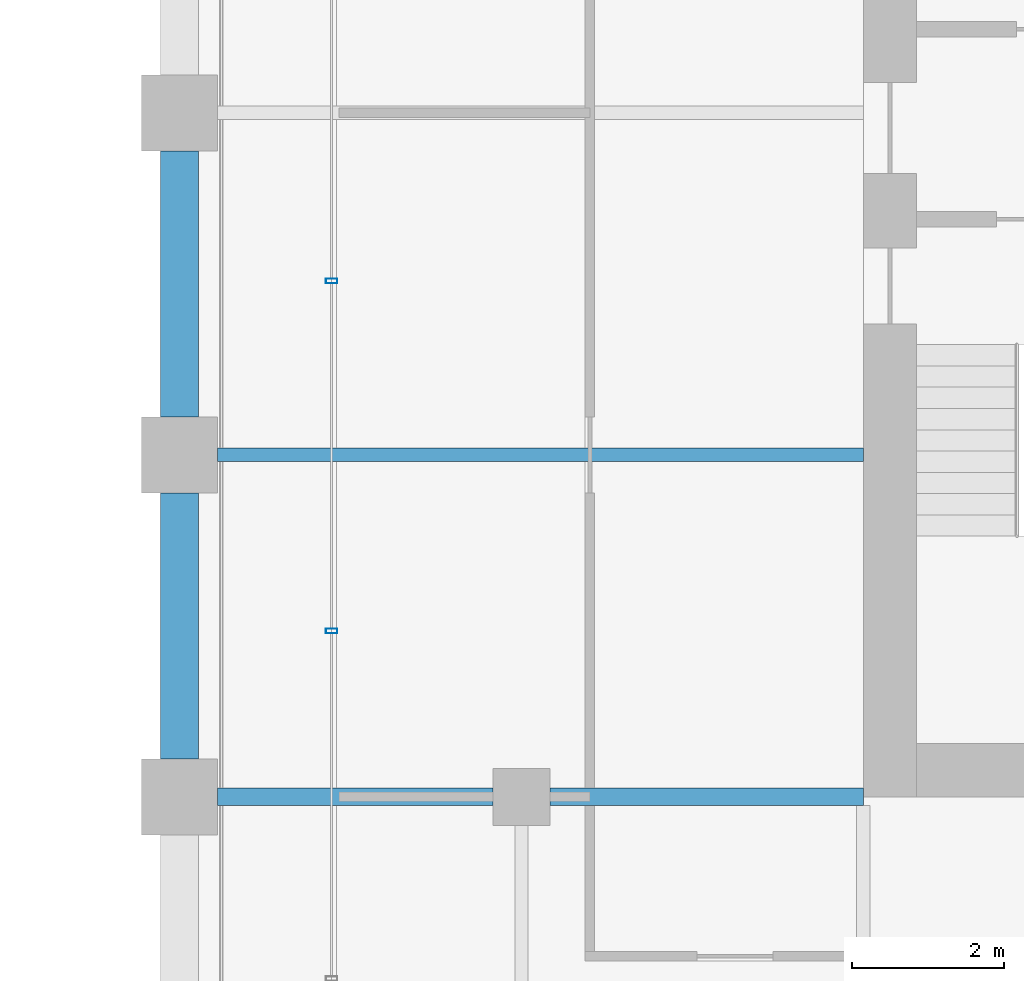
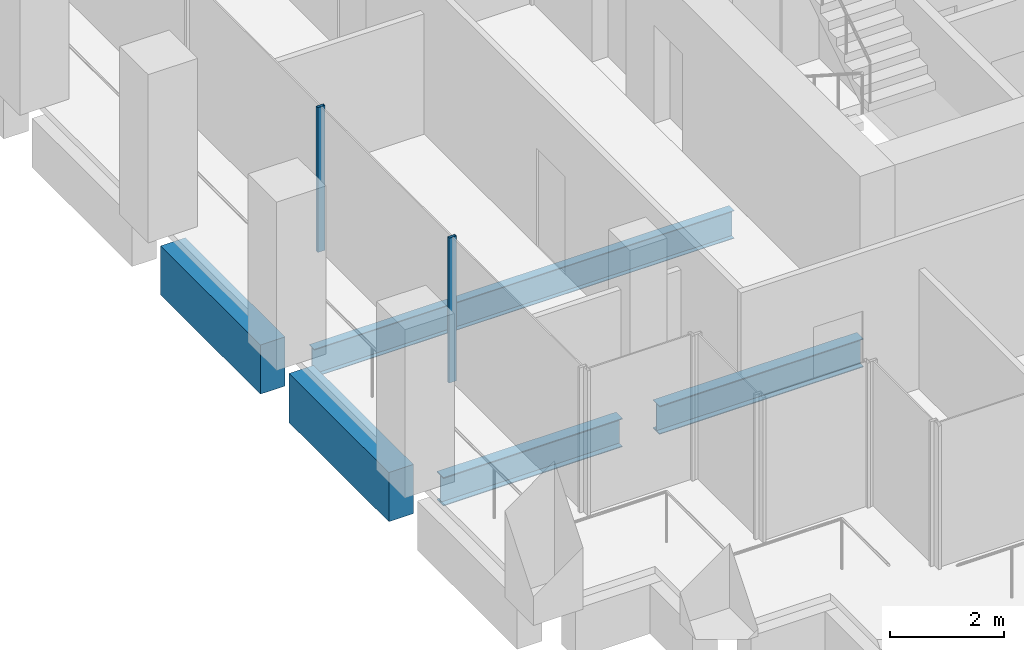
# One storey, part 30 of 45: 5 beams, 2 members, 1 element without a shape of its own.
"""IFC4 building model written with IfcOpenShell, lengths in metres."""

from ifc_helpers import new_model, si_unit, direction, frame, origin, origin_2d, place, context, subcontext, project, spatial, rectangle, hollow_rectangle, i_section, extrude, material, material_profile, profile_set, type_object, element, aggregate, save


model = new_model("IFC4")

# Units and contexts
model_context = context("Model", 3, precision=1e-05, world=origin(), true_north=direction((0.0, 1.0)))
body_context = subcontext(model_context, "Body", "Model", "MODEL_VIEW")
ifc_project = project(units=[si_unit("LENGTHUNIT", "METRE"), si_unit("AREAUNIT", "SQUARE_METRE"), si_unit("VOLUMEUNIT", "CUBIC_METRE"), si_unit("PLANEANGLEUNIT", "RADIAN"), si_unit("MASSUNIT", "GRAM", prefix="KILO")], contexts=[model_context])

# Site, building, storey
site_placement = place(None, origin())
site = spatial("IfcSite", under=ifc_project, at=site_placement, CompositionType="ELEMENT")
building_placement = place(site_placement, origin())
building = spatial("IfcBuilding", under=site, at=building_placement, Name="Altepetl Exchange Towers", CompositionType="ELEMENT")
storey_placement = place(building_placement, frame((0.0, 0.0, 110.0)))
storey = spatial("IfcBuildingStorey", under=building, at=storey_placement, Name="L27", CompositionType="ELEMENT", Elevation=110.0)

# Beams
ifc_material_1 = material(Name="Steel S355", Category="steel")
ifc_material_profile_1 = material_profile(ifc_material_1, i_section(OverallWidth=0.177978515625, OverallDepth=0.59912109375, WebThickness=0.010009765625, FlangeThickness=0.0126953125, at=origin_2d()), Name="W24X55")
ifc_profile_set_1 = profile_set([ifc_material_profile_1], Name="Steel S355")
beam_type_1 = type_object("IfcBeamType", Name="Floor beam W24X55", PredefinedType="BEAM", material=ifc_profile_set_1)
beam_1_placement = place(storey_placement, frame((95.0, 40.5, -0.449462890625), z_axis=(1.0, 0.0, 0.0), x_axis=(0.0, 1.0, 0.0)))
element("IfcBeam", 1, at=beam_1_placement, inside=storey, type_object=beam_type_1, Name="bm:B:L27:008", PredefinedType="BEAM", context=body_context, shape_type="SweptSolid", body=[
    extrude(i_section(OverallWidth=0.177978515625, OverallDepth=0.59912109375, WebThickness=0.010009765625, FlangeThickness=0.0126953125, at=origin_2d()), origin(), (0.0, 0.0, 1.0), 8.5),
])
ifc_material_profile_2 = material_profile(ifc_material_1, i_section(OverallWidth=0.22802734375, OverallDepth=0.60791015625, WebThickness=0.01123046875, FlangeThickness=0.017333984375, at=origin_2d()), Name="W24X76")
ifc_profile_set_2 = profile_set([ifc_material_profile_2], Name="Steel S355")
beam_type_2 = type_object("IfcBeamType", Name="Girder W24X76", PredefinedType="BEAM", material=ifc_profile_set_2)
beam_2_placement = place(storey_placement, frame((103.5, 36.0, -0.4541015625), z_axis=(-1.0, 0.0, 0.0), x_axis=(0.0, -1.0, 0.0)))
element("IfcBeam", 2, at=beam_2_placement, inside=storey, type_object=beam_type_2, Name="gd:B:L27:002", PredefinedType="BEAM", context=body_context, shape_type="SweptSolid", body=[
    extrude(i_section(OverallWidth=0.22802734375, OverallDepth=0.60791015625, WebThickness=0.01123046875, FlangeThickness=0.017333984375, at=origin_2d()), origin(), (0.0, 0.0, 1.0), 4.125),
])
beam_3_placement = place(storey_placement, frame((98.625, 36.0, -0.4541015625), z_axis=(-1.0, 0.0, 0.0), x_axis=(0.0, -1.0, 0.0)))
element("IfcBeam", 3, at=beam_3_placement, inside=storey, type_object=beam_type_2, Name="gd:B:L27:003", PredefinedType="BEAM", context=body_context, shape_type="SweptSolid", body=[
    extrude(i_section(OverallWidth=0.22802734375, OverallDepth=0.60791015625, WebThickness=0.01123046875, FlangeThickness=0.017333984375, at=origin_2d()), origin(), (0.0, 0.0, 1.0), 3.625),
])

# Curtain wall, members
ifc_material_2 = material(Name="Aluminium 6063-T6 glazing", Category="aluminium")
curtain_wall_type = type_object("IfcCurtainWallType", Name="Loggia glazing system", PredefinedType="NOTDEFINED", material=ifc_material_2)
curtain_wall_placement = place(storey_placement, origin())
curtain_wall = element("IfcCurtainWall", 4, at=curtain_wall_placement, inside=storey, type_object=curtain_wall_type, Name="CW1 run", PredefinedType="NOTDEFINED")
ifc_material_3 = material(Name="Aluminium 6063-T6", Category="aluminium")
ifc_material_profile_3 = material_profile(ifc_material_3, hollow_rectangle(XDim=0.06005859375, YDim=0.14990234375, WallThickness=0.0029296875, at=origin_2d()), Name="Mullion 60x150 aluminium")
ifc_profile_set_3 = profile_set([ifc_material_profile_3], Name="Aluminium 6063-T6")
member_type = type_object("IfcMemberType", Name="Mullion 60x150 aluminium", PredefinedType="MULLION", material=ifc_profile_set_3)
member_1_placement = place(storey_placement, frame((96.5, 42.78759765625, 0.0), z_axis=(0.0, 0.0, 1.0), x_axis=(0.0, -1.0, 0.0)))
member_1 = element("IfcMember", 5, at=member_1_placement, type_object=member_type, Name="MU1 mullion", PredefinedType="MULLION", context=body_context, shape_type="SweptSolid", body=[
    extrude(hollow_rectangle(XDim=0.06005859375, YDim=0.14990234375, WallThickness=0.0029296875, at=origin_2d()), origin(), (0.0, 0.0, 1.0), 3.10009765625),
])
member_2_placement = place(storey_placement, frame((96.5, 38.18115234375, 0.0), z_axis=(0.0, 0.0, 1.0), x_axis=(0.0, -1.0, 0.0)))
member_2 = element("IfcMember", 6, at=member_2_placement, type_object=member_type, Name="MU1 mullion", PredefinedType="MULLION", context=body_context, shape_type="SweptSolid", body=[
    extrude(hollow_rectangle(XDim=0.06005859375, YDim=0.14990234375, WallThickness=0.0029296875, at=origin_2d()), origin(), (0.0, 0.0, 1.0), 3.10009765625),
])
aggregate(curtain_wall, [member_1, member_2])

# Beams
ifc_material_4 = material(Name="Concrete C50/60 precast with cantera rosa facing", Category="concrete")
ifc_material_profile_4 = material_profile(ifc_material_4, rectangle(XDim=0.5, YDim=1.050048828125, at=origin_2d()), Name="500 x 1050")
ifc_profile_set_4 = profile_set([ifc_material_profile_4], Name="Concrete C50/60 precast with cantera rosa facing")
beam_type_3 = type_object("IfcBeamType", Name="Spandrel beam 500x1050 cantera rosa", PredefinedType="SPANDREL", material=ifc_profile_set_4)
for number, where, z_axis, x_axis, name in (
    (7, (94.5, 44.5, -0.675048828125), (0.0, -1.0, 0.0), (1.0, 0.0, 0.0), "sp:B:L27:024"),
    (8, (94.5, 40.0, -0.675048828125), (0.0, -1.0, 0.0), (1.0, 0.0, 0.0), "sp:B:L27:025"),
):
    element("IfcBeam", number, at=place(storey_placement, frame(where, z_axis=z_axis, x_axis=x_axis)), inside=storey, type_object=beam_type_3, Name=name, PredefinedType="SPANDREL", context=body_context, shape_type="SweptSolid", body=[
        extrude(rectangle(XDim=0.5, YDim=1.050048828125, at=origin_2d()), origin(), (0.0, 0.0, 1.0), 3.5),
    ])

save(model, "model.ifc")
